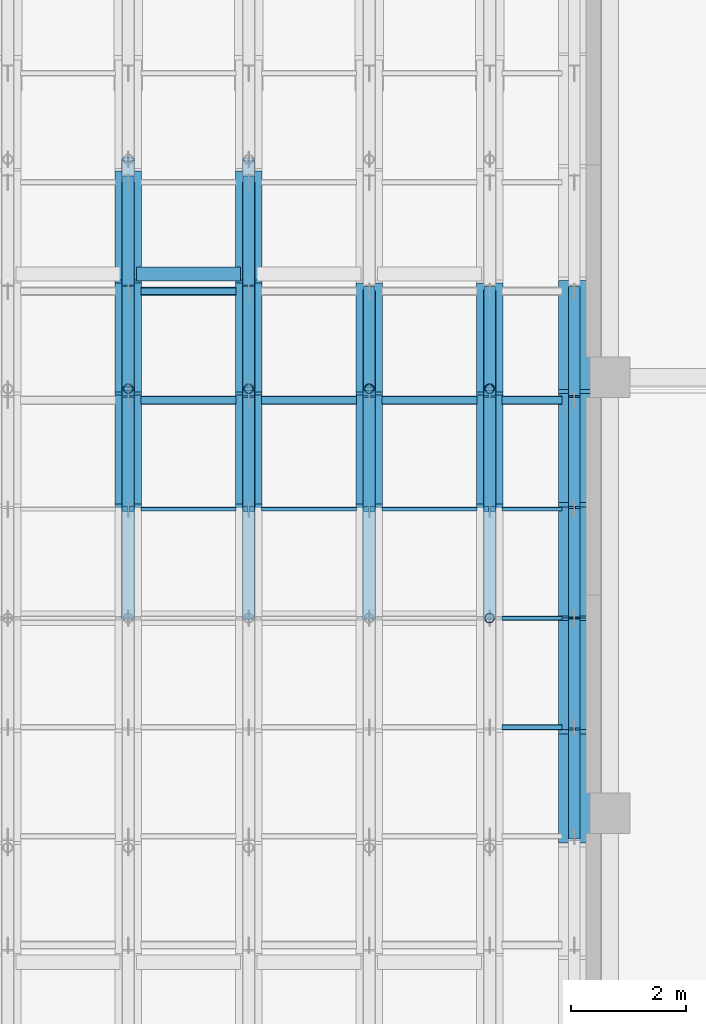
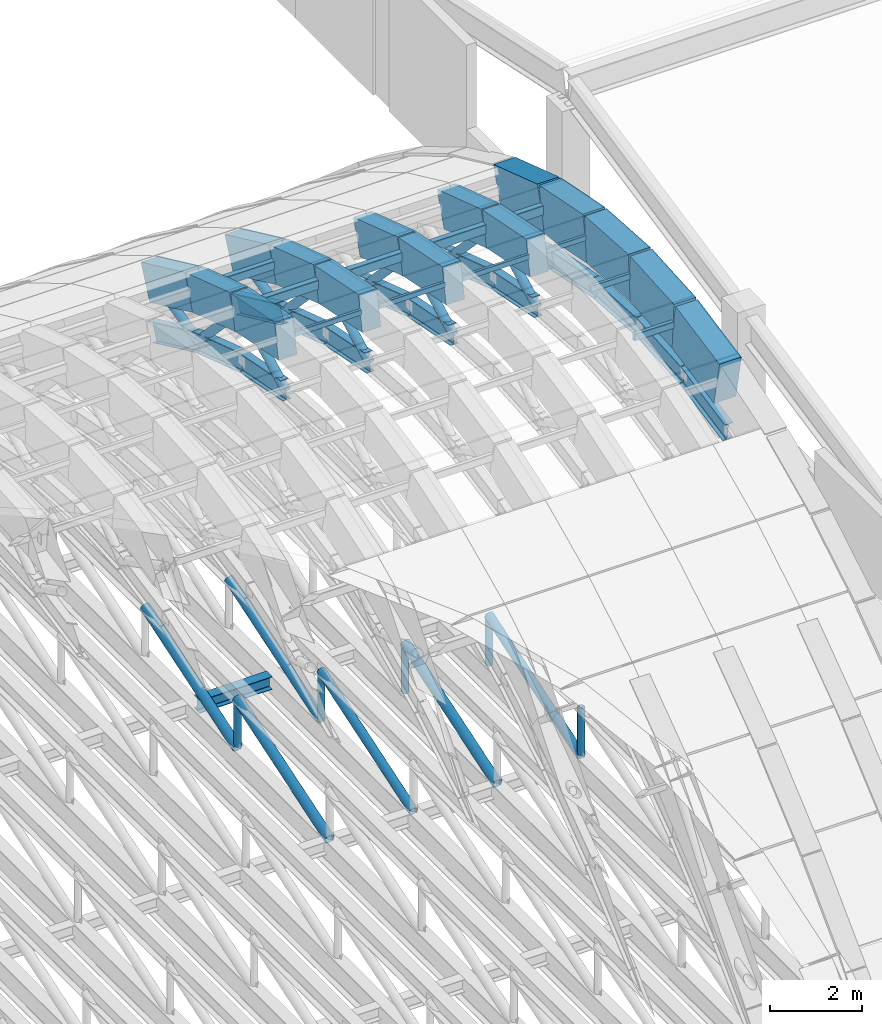
# One storey, part 42 of 67: 32 members, 31 beams.
"""IFC4 building model written with IfcOpenShell, lengths in metres."""

from ifc_helpers import new_model, si_unit, direction, frame, origin, origin_2d, place, context, subcontext, project, spatial, rectangle, hollow_rectangle, hollow_circle, i_section, extrude, material, material_profile, profile_set, type_object, element, save


model = new_model("IFC4")

# Units and contexts
model_context = context("Model", 3, precision=1e-05, world=origin(), true_north=direction((0.0, 1.0)))
body_context = subcontext(model_context, "Body", "Model", "MODEL_VIEW")
ifc_project = project(units=[si_unit("LENGTHUNIT", "METRE"), si_unit("AREAUNIT", "SQUARE_METRE"), si_unit("VOLUMEUNIT", "CUBIC_METRE"), si_unit("PLANEANGLEUNIT", "RADIAN"), si_unit("MASSUNIT", "GRAM", prefix="KILO")], contexts=[model_context])

# Site, building, storey
site_placement = place(None, origin())
site = spatial("IfcSite", under=ifc_project, at=site_placement, CompositionType="ELEMENT")
building_placement = place(site_placement, origin())
building = spatial("IfcBuilding", under=site, at=building_placement, Name="Shengluoqiao Park Theatre", CompositionType="ELEMENT")
storey_placement = place(building_placement, frame((0.0, 0.0, 28.60009765625)))
storey = spatial("IfcBuildingStorey", under=building, at=storey_placement, Name="Roof", CompositionType="ELEMENT", Elevation=28.60009765625)

# Beams
ifc_material_1 = material(Name="Concrete C50", Category="concrete")
ifc_material_profile_1 = material_profile(ifc_material_1, rectangle(XDim=0.4599609375, YDim=0.919921875, at=origin_2d()), Name="RC ARCH 460x920")
ifc_profile_set_1 = profile_set([ifc_material_profile_1], Name="Concrete C50")
beam_type_1 = type_object("IfcBeamType", Name="STR-BM-AR-4609", PredefinedType="BEAM", material=ifc_profile_set_1)
beam_1_placement = place(storey_placement, frame((78.0, 96.89990234375, 2.453857421875), z_axis=(0.0, 0.980788534345, -0.195073962632), x_axis=(-1.0, 0.0, 0.0)))
element("IfcBeam", 1, at=beam_1_placement, inside=storey, type_object=beam_type_1, Name="Barrel-Shell Arch Rib R17-S12", PredefinedType="BEAM", context=body_context, shape_type="SweptSolid", body=[
    extrude(rectangle(XDim=0.4599609375, YDim=0.919921875, at=origin_2d()), origin(), (0.0, 0.0, 1.0), 1.937255859375),
])
beam_2_placement = place(storey_placement, frame((78.0, 98.800048828125, 2.075927734375), z_axis=(0.0, 0.949157901431, -0.314800378257), x_axis=(-1.0, 0.0, 0.0)))
element("IfcBeam", 2, at=beam_2_placement, inside=storey, type_object=beam_type_1, Name="Barrel-Shell Arch Rib R17-S13", PredefinedType="BEAM", context=body_context, shape_type="SweptSolid", body=[
    extrude(rectangle(XDim=0.4599609375, YDim=0.919921875, at=origin_2d()), origin(), (0.0, 0.0, 1.0), 2.001708984375),
])
beam_3_placement = place(storey_placement, frame((78.0, 100.699951171875, 1.44580078125), z_axis=(0.0, 0.907077318021, -0.420964059192), x_axis=(-1.0, 0.0, 0.0)))
element("IfcBeam", 3, at=beam_3_placement, inside=storey, type_object=beam_type_1, Name="Barrel-Shell Arch Rib R17-S14", PredefinedType="BEAM", context=body_context, shape_type="SweptSolid", body=[
    extrude(rectangle(XDim=0.4599609375, YDim=0.919921875, at=origin_2d()), origin(), (0.0, 0.0, 1.0), 2.0947265625),
])
beam_4_placement = place(storey_placement, frame((80.10009765625, 96.89990234375, 2.453857421875), z_axis=(0.0, 0.980788534345, -0.195073962632), x_axis=(-1.0, 0.0, 0.0)))
element("IfcBeam", 4, at=beam_4_placement, inside=storey, type_object=beam_type_1, Name="Barrel-Shell Arch Rib R18-S12", PredefinedType="BEAM", context=body_context, shape_type="SweptSolid", body=[
    extrude(rectangle(XDim=0.4599609375, YDim=0.919921875, at=origin_2d()), origin(), (0.0, 0.0, 1.0), 1.937255859375),
])
beam_5_placement = place(storey_placement, frame((80.10009765625, 98.800048828125, 2.075927734375), z_axis=(0.0, 0.949157901431, -0.314800378257), x_axis=(-1.0, 0.0, 0.0)))
element("IfcBeam", 5, at=beam_5_placement, inside=storey, type_object=beam_type_1, Name="Barrel-Shell Arch Rib R18-S13", PredefinedType="BEAM", context=body_context, shape_type="SweptSolid", body=[
    extrude(rectangle(XDim=0.4599609375, YDim=0.919921875, at=origin_2d()), origin(), (0.0, 0.0, 1.0), 2.001708984375),
])
beam_6_placement = place(storey_placement, frame((80.10009765625, 100.699951171875, 1.44580078125), z_axis=(0.0, 0.907077318021, -0.420964059192), x_axis=(-1.0, 0.0, 0.0)))
element("IfcBeam", 6, at=beam_6_placement, inside=storey, type_object=beam_type_1, Name="Barrel-Shell Arch Rib R18-S14", PredefinedType="BEAM", context=body_context, shape_type="SweptSolid", body=[
    extrude(rectangle(XDim=0.4599609375, YDim=0.919921875, at=origin_2d()), origin(), (0.0, 0.0, 1.0), 2.0947265625),
])
beam_7_placement = place(storey_placement, frame((82.199951171875, 96.89990234375, 2.453857421875), z_axis=(0.0, 0.980788534345, -0.195073962632), x_axis=(-1.0, 0.0, 0.0)))
element("IfcBeam", 7, at=beam_7_placement, inside=storey, type_object=beam_type_1, Name="Barrel-Shell Arch Rib R19-S12", PredefinedType="BEAM", context=body_context, shape_type="SweptSolid", body=[
    extrude(rectangle(XDim=0.4599609375, YDim=0.919921875, at=origin_2d()), origin(), (0.0, 0.0, 1.0), 1.937255859375),
])
beam_8_placement = place(storey_placement, frame((82.199951171875, 98.800048828125, 2.075927734375), z_axis=(0.0, 0.949157901431, -0.314800378257), x_axis=(-1.0, 0.0, 0.0)))
element("IfcBeam", 8, at=beam_8_placement, inside=storey, type_object=beam_type_1, Name="Barrel-Shell Arch Rib R19-S13", PredefinedType="BEAM", context=body_context, shape_type="SweptSolid", body=[
    extrude(rectangle(XDim=0.4599609375, YDim=0.919921875, at=origin_2d()), origin(), (0.0, 0.0, 1.0), 2.001708984375),
])
beam_9_placement = place(storey_placement, frame((84.300048828125, 96.89990234375, 2.453857421875), z_axis=(0.0, 0.980788534345, -0.195073962632), x_axis=(-1.0, 0.0, 0.0)))
element("IfcBeam", 9, at=beam_9_placement, inside=storey, type_object=beam_type_1, Name="Barrel-Shell Arch Rib R20-S12", PredefinedType="BEAM", context=body_context, shape_type="SweptSolid", body=[
    extrude(rectangle(XDim=0.4599609375, YDim=0.919921875, at=origin_2d()), origin(), (0.0, 0.0, 1.0), 1.937255859375),
])
beam_10_placement = place(storey_placement, frame((84.300048828125, 98.800048828125, 2.075927734375), z_axis=(0.0, 0.949157901431, -0.314800378257), x_axis=(-1.0, 0.0, 0.0)))
element("IfcBeam", 10, at=beam_10_placement, inside=storey, type_object=beam_type_1, Name="Barrel-Shell Arch Rib R20-S13", PredefinedType="BEAM", context=body_context, shape_type="SweptSolid", body=[
    extrude(rectangle(XDim=0.4599609375, YDim=0.919921875, at=origin_2d()), origin(), (0.0, 0.0, 1.0), 2.001708984375),
])
ifc_material_profile_2 = material_profile(ifc_material_1, rectangle(XDim=0.550048828125, YDim=1.199951171875, at=origin_2d()), Name="RC ARCH 550x1200")
ifc_profile_set_2 = profile_set([ifc_material_profile_2], Name="Concrete C50")
beam_type_2 = type_object("IfcBeamType", Name="STR-BM-AR-5512", PredefinedType="BEAM", material=ifc_profile_set_2)
beam_11_placement = place(storey_placement, frame((85.780029296875, 91.199951171875, 2.075927734375), z_axis=(0.0, 0.980788534345, 0.195073962632), x_axis=(-1.0, 0.0, 0.0)))
element("IfcBeam", 11, at=beam_11_placement, inside=storey, type_object=beam_type_2, Name="Barrel-Shell Arch Rib R21-S09", PredefinedType="BEAM", context=body_context, shape_type="SweptSolid", body=[
    extrude(rectangle(XDim=0.550048828125, YDim=1.199951171875, at=origin_2d()), origin(), (0.0, 0.0, 1.0), 1.937255859375),
])
for number, where, z_axis, x_axis, name in (
    (12, (85.780029296875, 93.10009765625, 2.453857421875), (0.0, 0.997808922354, 0.066161578506), (-1.0, 0.0, 0.0), "Barrel-Shell Arch Rib R21-S10"),
    (13, (85.780029296875, 95.0, 2.579833984375), (0.0, 0.997808922354, -0.066161578506), (-1.0, 0.0, 0.0), "Barrel-Shell Arch Rib R21-S11"),
):
    element("IfcBeam", number, at=place(storey_placement, frame(where, z_axis=z_axis, x_axis=x_axis)), inside=storey, type_object=beam_type_2, Name=name, PredefinedType="BEAM", context=body_context, shape_type="SweptSolid", body=[
        extrude(rectangle(XDim=0.550048828125, YDim=1.199951171875, at=origin_2d()), origin(), (0.0, 0.0, 1.0), 1.904052734375),
    ])
beam_12_placement = place(storey_placement, frame((85.780029296875, 96.89990234375, 2.453857421875), z_axis=(0.0, 0.980788534345, -0.195073962632), x_axis=(-1.0, 0.0, 0.0)))
element("IfcBeam", 14, at=beam_12_placement, inside=storey, type_object=beam_type_2, Name="Barrel-Shell Arch Rib R21-S12", PredefinedType="BEAM", context=body_context, shape_type="SweptSolid", body=[
    extrude(rectangle(XDim=0.550048828125, YDim=1.199951171875, at=origin_2d()), origin(), (0.0, 0.0, 1.0), 1.937255859375),
])
beam_13_placement = place(storey_placement, frame((85.780029296875, 98.800048828125, 2.075927734375), z_axis=(0.0, 0.949157901431, -0.314800378257), x_axis=(-1.0, 0.0, 0.0)))
element("IfcBeam", 15, at=beam_13_placement, inside=storey, type_object=beam_type_2, Name="Barrel-Shell Arch Rib R21-S13", PredefinedType="BEAM", context=body_context, shape_type="SweptSolid", body=[
    extrude(rectangle(XDim=0.550048828125, YDim=1.199951171875, at=origin_2d()), origin(), (0.0, 0.0, 1.0), 2.001708984375),
])
ifc_material_2 = material(Name="Steel Q355", Category="steel")
ifc_material_profile_3 = material_profile(ifc_material_2, i_section(OverallWidth=0.25, OverallDepth=0.340087890625, WebThickness=0.009033203125, FlangeThickness=0.013916015625, FilletRadius=0.01611328125, at=origin_2d()), Name="HM 340x250x9x14")
ifc_profile_set_3 = profile_set([ifc_material_profile_3], Name="Steel Q355")
beam_type_3 = type_object("IfcBeamType", Name="STR-BM-G-HM340", PredefinedType="BEAM", material=ifc_profile_set_3)
beam_14_placement = place(storey_placement, frame((78.14404296875, 101.0, -9.77001953125), z_axis=(1.0, 0.0, 0.0), x_axis=(0.0, 1.0, 0.0)))
element("IfcBeam", 16, at=beam_14_placement, inside=storey, type_object=beam_type_3, Name="Auditorium Overhead Catwalk Girder R17-4", PredefinedType="BEAM", context=body_context, shape_type="SweptSolid", body=[
    extrude(i_section(OverallWidth=0.25, OverallDepth=0.340087890625, WebThickness=0.009033203125, FlangeThickness=0.013916015625, FilletRadius=0.01611328125, at=origin_2d()), origin(), (0.0, 0.0, 1.0), 1.81201171875),
])
ifc_material_profile_4 = material_profile(ifc_material_2, i_section(OverallWidth=0.199951171875, OverallDepth=0.5, WebThickness=0.010009765625, FlangeThickness=0.01611328125, FilletRadius=0.01806640625, at=origin_2d()), Name="HN 500x200x10x16")
ifc_profile_set_4 = profile_set([ifc_material_profile_4], Name="Steel Q355")
beam_type_4 = type_object("IfcBeamType", Name="STR-BM-J-HN500", PredefinedType="JOIST", material=ifc_profile_set_4)
beam_15_placement = place(storey_placement, frame((78.0, 96.89990234375, 1.093994140625), z_axis=(0.0, 0.980764417124, -0.19519517951), x_axis=(-1.0, 0.0, 0.0)))
element("IfcBeam", 17, at=beam_15_placement, inside=storey, type_object=beam_type_4, Name="Barrel-Shell Lower Arch Chord R17-S12", PredefinedType="JOIST", context=body_context, shape_type="SweptSolid", body=[
    extrude(i_section(OverallWidth=0.199951171875, OverallDepth=0.5, WebThickness=0.010009765625, FlangeThickness=0.01611328125, FilletRadius=0.01806640625, at=origin_2d()), origin(), (0.0, 0.0, 1.0), 1.9375),
])
beam_16_placement = place(storey_placement, frame((78.0, 98.800048828125, 0.7158203125), z_axis=(0.0, 0.949194340043, -0.314690490531), x_axis=(-1.0, 0.0, 0.0)))
element("IfcBeam", 18, at=beam_16_placement, inside=storey, type_object=beam_type_4, Name="Barrel-Shell Lower Arch Chord R17-S13", PredefinedType="JOIST", context=body_context, shape_type="SweptSolid", body=[
    extrude(i_section(OverallWidth=0.199951171875, OverallDepth=0.5, WebThickness=0.010009765625, FlangeThickness=0.01611328125, FilletRadius=0.01806640625, at=origin_2d()), origin(), (0.0, 0.0, 1.0), 2.001708984375),
])
beam_17_placement = place(storey_placement, frame((78.0, 100.699951171875, 0.0859375), z_axis=(0.0, 0.907032812412, -0.421059944911), x_axis=(-1.0, 0.0, 0.0)))
element("IfcBeam", 19, at=beam_17_placement, inside=storey, type_object=beam_type_4, Name="Barrel-Shell Lower Arch Chord R17-S14", PredefinedType="JOIST", context=body_context, shape_type="SweptSolid", body=[
    extrude(i_section(OverallWidth=0.199951171875, OverallDepth=0.5, WebThickness=0.010009765625, FlangeThickness=0.01611328125, FilletRadius=0.01806640625, at=origin_2d()), origin(), (0.0, 0.0, 1.0), 2.094970703125),
])
beam_18_placement = place(storey_placement, frame((80.10009765625, 96.89990234375, 1.093994140625), z_axis=(0.0, 0.980764417124, -0.19519517951), x_axis=(-1.0, 0.0, 0.0)))
element("IfcBeam", 20, at=beam_18_placement, inside=storey, type_object=beam_type_4, Name="Barrel-Shell Lower Arch Chord R18-S12", PredefinedType="JOIST", context=body_context, shape_type="SweptSolid", body=[
    extrude(i_section(OverallWidth=0.199951171875, OverallDepth=0.5, WebThickness=0.010009765625, FlangeThickness=0.01611328125, FilletRadius=0.01806640625, at=origin_2d()), origin(), (0.0, 0.0, 1.0), 1.9375),
])
beam_19_placement = place(storey_placement, frame((80.10009765625, 98.800048828125, 0.7158203125), z_axis=(0.0, 0.949194340043, -0.314690490531), x_axis=(-1.0, 0.0, 0.0)))
element("IfcBeam", 21, at=beam_19_placement, inside=storey, type_object=beam_type_4, Name="Barrel-Shell Lower Arch Chord R18-S13", PredefinedType="JOIST", context=body_context, shape_type="SweptSolid", body=[
    extrude(i_section(OverallWidth=0.199951171875, OverallDepth=0.5, WebThickness=0.010009765625, FlangeThickness=0.01611328125, FilletRadius=0.01806640625, at=origin_2d()), origin(), (0.0, 0.0, 1.0), 2.001708984375),
])
beam_20_placement = place(storey_placement, frame((80.10009765625, 100.699951171875, 0.0859375), z_axis=(0.0, 0.907032812412, -0.421059944911), x_axis=(-1.0, 0.0, 0.0)))
element("IfcBeam", 22, at=beam_20_placement, inside=storey, type_object=beam_type_4, Name="Barrel-Shell Lower Arch Chord R18-S14", PredefinedType="JOIST", context=body_context, shape_type="SweptSolid", body=[
    extrude(i_section(OverallWidth=0.199951171875, OverallDepth=0.5, WebThickness=0.010009765625, FlangeThickness=0.01611328125, FilletRadius=0.01806640625, at=origin_2d()), origin(), (0.0, 0.0, 1.0), 2.094970703125),
])
beam_21_placement = place(storey_placement, frame((82.199951171875, 96.89990234375, 1.093994140625), z_axis=(0.0, 0.980764417124, -0.19519517951), x_axis=(-1.0, 0.0, 0.0)))
element("IfcBeam", 23, at=beam_21_placement, inside=storey, type_object=beam_type_4, Name="Barrel-Shell Lower Arch Chord R19-S12", PredefinedType="JOIST", context=body_context, shape_type="SweptSolid", body=[
    extrude(i_section(OverallWidth=0.199951171875, OverallDepth=0.5, WebThickness=0.010009765625, FlangeThickness=0.01611328125, FilletRadius=0.01806640625, at=origin_2d()), origin(), (0.0, 0.0, 1.0), 1.9375),
])
beam_22_placement = place(storey_placement, frame((82.199951171875, 98.800048828125, 0.7158203125), z_axis=(0.0, 0.949194340043, -0.314690490531), x_axis=(-1.0, 0.0, 0.0)))
element("IfcBeam", 24, at=beam_22_placement, inside=storey, type_object=beam_type_4, Name="Barrel-Shell Lower Arch Chord R19-S13", PredefinedType="JOIST", context=body_context, shape_type="SweptSolid", body=[
    extrude(i_section(OverallWidth=0.199951171875, OverallDepth=0.5, WebThickness=0.010009765625, FlangeThickness=0.01611328125, FilletRadius=0.01806640625, at=origin_2d()), origin(), (0.0, 0.0, 1.0), 2.001708984375),
])
beam_23_placement = place(storey_placement, frame((84.300048828125, 96.89990234375, 1.093994140625), z_axis=(0.0, 0.980764417124, -0.19519517951), x_axis=(-1.0, 0.0, 0.0)))
element("IfcBeam", 25, at=beam_23_placement, inside=storey, type_object=beam_type_4, Name="Barrel-Shell Lower Arch Chord R20-S12", PredefinedType="JOIST", context=body_context, shape_type="SweptSolid", body=[
    extrude(i_section(OverallWidth=0.199951171875, OverallDepth=0.5, WebThickness=0.010009765625, FlangeThickness=0.01611328125, FilletRadius=0.01806640625, at=origin_2d()), origin(), (0.0, 0.0, 1.0), 1.9375),
])
beam_24_placement = place(storey_placement, frame((84.300048828125, 98.800048828125, 0.7158203125), z_axis=(0.0, 0.949194340043, -0.314690490531), x_axis=(-1.0, 0.0, 0.0)))
element("IfcBeam", 26, at=beam_24_placement, inside=storey, type_object=beam_type_4, Name="Barrel-Shell Lower Arch Chord R20-S13", PredefinedType="JOIST", context=body_context, shape_type="SweptSolid", body=[
    extrude(i_section(OverallWidth=0.199951171875, OverallDepth=0.5, WebThickness=0.010009765625, FlangeThickness=0.01611328125, FilletRadius=0.01806640625, at=origin_2d()), origin(), (0.0, 0.0, 1.0), 2.001708984375),
])
beam_25_placement = place(storey_placement, frame((85.780029296875, 91.199951171875, 0.7158203125), z_axis=(0.0, 0.980764417124, 0.19519517951), x_axis=(-1.0, 0.0, 0.0)))
element("IfcBeam", 27, at=beam_25_placement, inside=storey, type_object=beam_type_4, Name="Barrel-Shell Lower Arch Chord R21-S09", PredefinedType="JOIST", context=body_context, shape_type="SweptSolid", body=[
    extrude(i_section(OverallWidth=0.199951171875, OverallDepth=0.5, WebThickness=0.010009765625, FlangeThickness=0.01611328125, FilletRadius=0.01806640625, at=origin_2d()), origin(), (0.0, 0.0, 1.0), 1.9375),
])
for number, where, z_axis, x_axis, name in (
    (28, (85.780029296875, 93.10009765625, 1.093994140625), (0.0, 0.997808922354, 0.066161578506), (-1.0, 0.0, 0.0), "Barrel-Shell Lower Arch Chord R21-S10"),
    (29, (85.780029296875, 95.0, 1.219970703125), (0.0, 0.997808922354, -0.066161578506), (-1.0, 0.0, 0.0), "Barrel-Shell Lower Arch Chord R21-S11"),
):
    element("IfcBeam", number, at=place(storey_placement, frame(where, z_axis=z_axis, x_axis=x_axis)), inside=storey, type_object=beam_type_4, Name=name, PredefinedType="JOIST", context=body_context, shape_type="SweptSolid", body=[
        extrude(i_section(OverallWidth=0.199951171875, OverallDepth=0.5, WebThickness=0.010009765625, FlangeThickness=0.01611328125, FilletRadius=0.01806640625, at=origin_2d()), origin(), (0.0, 0.0, 1.0), 1.904052734375),
    ])
beam_26_placement = place(storey_placement, frame((85.780029296875, 96.89990234375, 1.093994140625), z_axis=(0.0, 0.980764417124, -0.19519517951), x_axis=(-1.0, 0.0, 0.0)))
element("IfcBeam", 30, at=beam_26_placement, inside=storey, type_object=beam_type_4, Name="Barrel-Shell Lower Arch Chord R21-S12", PredefinedType="JOIST", context=body_context, shape_type="SweptSolid", body=[
    extrude(i_section(OverallWidth=0.199951171875, OverallDepth=0.5, WebThickness=0.010009765625, FlangeThickness=0.01611328125, FilletRadius=0.01806640625, at=origin_2d()), origin(), (0.0, 0.0, 1.0), 1.9375),
])
beam_27_placement = place(storey_placement, frame((85.780029296875, 98.800048828125, 0.7158203125), z_axis=(0.0, 0.949194340043, -0.314690490531), x_axis=(-1.0, 0.0, 0.0)))
element("IfcBeam", 31, at=beam_27_placement, inside=storey, type_object=beam_type_4, Name="Barrel-Shell Lower Arch Chord R21-S13", PredefinedType="JOIST", context=body_context, shape_type="SweptSolid", body=[
    extrude(i_section(OverallWidth=0.199951171875, OverallDepth=0.5, WebThickness=0.010009765625, FlangeThickness=0.01611328125, FilletRadius=0.01806640625, at=origin_2d()), origin(), (0.0, 0.0, 1.0), 2.001708984375),
])

# Members
ifc_material_profile_5 = material_profile(ifc_material_2, hollow_circle(Radius=0.109619140625, WallThickness=0.010009765625, at=origin_2d()), Name="CHS 219x10")
ifc_profile_set_5 = profile_set([ifc_material_profile_5], Name="Steel Q355")
member_type_1 = type_object("IfcMemberType", Name="STR-MEM-BRC-219", PredefinedType="BRACE", material=ifc_profile_set_5)
member_1_placement = place(storey_placement, frame((78.0, 96.89990234375, 1.093994140625), z_axis=(0.0, 0.888389440766, 0.459090624535), x_axis=(-1.0, 0.0, 0.0)))
element("IfcMember", 32, at=member_1_placement, inside=storey, type_object=member_type_1, Name="Barrel-Shell Arch Truss Web 0332", PredefinedType="BRACE", context=body_context, shape_type="SweptSolid", body=[
    extrude(hollow_circle(Radius=0.109619140625, WallThickness=0.010009765625, at=origin_2d()), origin(), (0.0, 0.0, 1.0), 2.138916015625),
])
member_2_placement = place(storey_placement, frame((78.0, 98.800048828125, 2.075927734375), z_axis=(0.0, 0.690545389436, -0.723289060562), x_axis=(-1.0, 0.0, 0.0)))
element("IfcMember", 33, at=member_2_placement, inside=storey, type_object=member_type_1, Name="Barrel-Shell Arch Truss Web 0333", PredefinedType="BRACE", context=body_context, shape_type="SweptSolid", body=[
    extrude(hollow_circle(Radius=0.109619140625, WallThickness=0.010009765625, at=origin_2d()), origin(), (0.0, 0.0, 1.0), 2.751220703125),
])
member_3_placement = place(storey_placement, frame((78.0, 100.699951171875, 0.0859375), z_axis=(0.0, 0.96978228772, 0.243971954176), x_axis=(-1.0, 0.0, 0.0)))
element("IfcMember", 34, at=member_3_placement, inside=storey, type_object=member_type_1, Name="Barrel-Shell Arch Truss Web 0334", PredefinedType="BRACE", context=body_context, shape_type="SweptSolid", body=[
    extrude(hollow_circle(Radius=0.109619140625, WallThickness=0.010009765625, at=origin_2d()), origin(), (0.0, 0.0, 1.0), 1.95947265625),
])
member_4_placement = place(storey_placement, frame((80.10009765625, 96.89990234375, 1.093994140625), z_axis=(0.0, 0.888389440766, 0.459090624535), x_axis=(-1.0, 0.0, 0.0)))
element("IfcMember", 35, at=member_4_placement, inside=storey, type_object=member_type_1, Name="Barrel-Shell Arch Truss Web 0352", PredefinedType="BRACE", context=body_context, shape_type="SweptSolid", body=[
    extrude(hollow_circle(Radius=0.109619140625, WallThickness=0.010009765625, at=origin_2d()), origin(), (0.0, 0.0, 1.0), 2.138916015625),
])
member_5_placement = place(storey_placement, frame((80.10009765625, 98.800048828125, 2.075927734375), z_axis=(0.0, 0.690545389436, -0.723289060562), x_axis=(-1.0, 0.0, 0.0)))
element("IfcMember", 36, at=member_5_placement, inside=storey, type_object=member_type_1, Name="Barrel-Shell Arch Truss Web 0353", PredefinedType="BRACE", context=body_context, shape_type="SweptSolid", body=[
    extrude(hollow_circle(Radius=0.109619140625, WallThickness=0.010009765625, at=origin_2d()), origin(), (0.0, 0.0, 1.0), 2.751220703125),
])
member_6_placement = place(storey_placement, frame((80.10009765625, 100.699951171875, 0.0859375), z_axis=(0.0, 0.96978228772, 0.243971954176), x_axis=(-1.0, 0.0, 0.0)))
element("IfcMember", 37, at=member_6_placement, inside=storey, type_object=member_type_1, Name="Barrel-Shell Arch Truss Web 0354", PredefinedType="BRACE", context=body_context, shape_type="SweptSolid", body=[
    extrude(hollow_circle(Radius=0.109619140625, WallThickness=0.010009765625, at=origin_2d()), origin(), (0.0, 0.0, 1.0), 1.95947265625),
])
member_7_placement = place(storey_placement, frame((82.199951171875, 96.89990234375, 1.093994140625), z_axis=(0.0, 0.888389440766, 0.459090624535), x_axis=(-1.0, 0.0, 0.0)))
element("IfcMember", 38, at=member_7_placement, inside=storey, type_object=member_type_1, Name="Barrel-Shell Arch Truss Web 0372", PredefinedType="BRACE", context=body_context, shape_type="SweptSolid", body=[
    extrude(hollow_circle(Radius=0.109619140625, WallThickness=0.010009765625, at=origin_2d()), origin(), (0.0, 0.0, 1.0), 2.138916015625),
])
member_8_placement = place(storey_placement, frame((82.199951171875, 98.800048828125, 2.075927734375), z_axis=(0.0, 0.690545389436, -0.723289060562), x_axis=(-1.0, 0.0, 0.0)))
element("IfcMember", 39, at=member_8_placement, inside=storey, type_object=member_type_1, Name="Barrel-Shell Arch Truss Web 0373", PredefinedType="BRACE", context=body_context, shape_type="SweptSolid", body=[
    extrude(hollow_circle(Radius=0.109619140625, WallThickness=0.010009765625, at=origin_2d()), origin(), (0.0, 0.0, 1.0), 2.751220703125),
])
member_9_placement = place(storey_placement, frame((84.300048828125, 96.89990234375, 1.093994140625), z_axis=(0.0, 0.888389440766, 0.459090624535), x_axis=(-1.0, 0.0, 0.0)))
element("IfcMember", 40, at=member_9_placement, inside=storey, type_object=member_type_1, Name="Barrel-Shell Arch Truss Web 0392", PredefinedType="BRACE", context=body_context, shape_type="SweptSolid", body=[
    extrude(hollow_circle(Radius=0.109619140625, WallThickness=0.010009765625, at=origin_2d()), origin(), (0.0, 0.0, 1.0), 2.138916015625),
])
member_10_placement = place(storey_placement, frame((84.300048828125, 98.800048828125, 2.075927734375), z_axis=(0.0, 0.690545389436, -0.723289060562), x_axis=(-1.0, 0.0, 0.0)))
element("IfcMember", 41, at=member_10_placement, inside=storey, type_object=member_type_1, Name="Barrel-Shell Arch Truss Web 0393", PredefinedType="BRACE", context=body_context, shape_type="SweptSolid", body=[
    extrude(hollow_circle(Radius=0.109619140625, WallThickness=0.010009765625, at=origin_2d()), origin(), (0.0, 0.0, 1.0), 2.751220703125),
])
for number, where, z_axis, x_axis, name in (
    (42, (80.10009765625, 95.0, -9.650146484375), (0.0, 0.951030656115, 0.309096572498), (-1.0, 0.0, 0.0), "Acoustic Tie Truss Diagonal 0150"),
    (43, (80.10009765625, 99.0, -9.650146484375), (0.0, 0.951030656115, 0.309096572498), (-1.0, 0.0, 0.0), "Acoustic Tie Truss Diagonal 0151"),
    (44, (84.300048828125, 95.0, -9.650146484375), (0.0, 0.951030656115, 0.309096572498), (-1.0, 0.0, 0.0), "Acoustic Tie Truss Diagonal 0184"),
):
    element("IfcMember", number, at=place(storey_placement, frame(where, z_axis=z_axis, x_axis=x_axis)), inside=storey, type_object=member_type_1, Name=name, PredefinedType="BRACE", context=body_context, shape_type="SweptSolid", body=[
        extrude(hollow_circle(Radius=0.109619140625, WallThickness=0.010009765625, at=origin_2d()), origin(), (0.0, 0.0, 1.0), 4.2060546875),
    ])
ifc_material_profile_6 = material_profile(ifc_material_2, hollow_circle(Radius=0.12255859375, WallThickness=0.010009765625, at=origin_2d()), Name="CHS 245x10")
ifc_profile_set_6 = profile_set([ifc_material_profile_6], Name="Steel Q355")
member_type_2 = type_object("IfcMemberType", Name="STR-MEM-BRC-245", PredefinedType="BRACE", material=ifc_profile_set_6)
for number, where, z_axis, x_axis, name in (
    (45, (78.0, 95.0, -9.650146484375), (0.0, 0.951030656115, 0.309096572498), (-1.0, 0.0, 0.0), "Acoustic Tie Truss Diagonal 0133"),
    (46, (78.0, 99.0, -9.650146484375), (0.0, 0.951030656115, 0.309096572498), (-1.0, 0.0, 0.0), "Acoustic Tie Truss Diagonal 0134"),
    (47, (82.199951171875, 95.0, -9.650146484375), (0.0, 0.951030656115, 0.309096572498), (-1.0, 0.0, 0.0), "Acoustic Tie Truss Diagonal 0167"),
):
    element("IfcMember", number, at=place(storey_placement, frame(where, z_axis=z_axis, x_axis=x_axis)), inside=storey, type_object=member_type_2, Name=name, PredefinedType="BRACE", context=body_context, shape_type="SweptSolid", body=[
        extrude(hollow_circle(Radius=0.12255859375, WallThickness=0.010009765625, at=origin_2d()), origin(), (0.0, 0.0, 1.0), 4.2060546875),
    ])
ifc_material_profile_7 = material_profile(ifc_material_2, hollow_rectangle(XDim=0.070068359375, YDim=0.139892578125, WallThickness=0.006103515625, InnerFilletRadius=0.006103515625, OuterFilletRadius=0.011962890625, at=origin_2d()), Name="RHS 140x70x6")
ifc_profile_set_7 = profile_set([ifc_material_profile_7], Name="Steel Q355")
member_type_3 = type_object("IfcMemberType", Name="STR-MEM-PU-R140", PredefinedType="PURLIN", material=ifc_profile_set_7)
for number, where, z_axis, x_axis, name in (
    (48, (78.219970703125, 96.89990234375, 2.50390625), (1.0, 0.0, 0.0), (0.0, 1.0, 0.0), "Shell Longitudinal Purlin 0315"),
    (49, (80.320068359375, 96.89990234375, 2.50390625), (1.0, 0.0, 0.0), (0.0, 1.0, 0.0), "Shell Longitudinal Purlin 0334"),
):
    element("IfcMember", number, at=place(storey_placement, frame(where, z_axis=z_axis, x_axis=x_axis)), inside=storey, type_object=member_type_3, Name=name, PredefinedType="PURLIN", context=body_context, shape_type="SweptSolid", body=[
        extrude(hollow_rectangle(XDim=0.070068359375, YDim=0.139892578125, WallThickness=0.006103515625, InnerFilletRadius=0.006103515625, OuterFilletRadius=0.011962890625, at=origin_2d()), origin(), (0.0, 0.0, 1.0), 1.659912109375),
    ])
member_11_placement = place(storey_placement, frame((82.419921875, 96.89990234375, 2.50390625), z_axis=(1.0, 0.0, 0.0), x_axis=(0.0, 1.0, 0.0)))
element("IfcMember", 50, at=member_11_placement, inside=storey, type_object=member_type_3, Name="Shell Longitudinal Purlin 0353", PredefinedType="PURLIN", context=body_context, shape_type="SweptSolid", body=[
    extrude(hollow_rectangle(XDim=0.070068359375, YDim=0.139892578125, WallThickness=0.006103515625, InnerFilletRadius=0.006103515625, OuterFilletRadius=0.011962890625, at=origin_2d()), origin(), (0.0, 0.0, 1.0), 1.66015625),
])
member_12_placement = place(storey_placement, frame((84.52001953125, 96.89990234375, 2.50390625), z_axis=(1.0, 0.0, 0.0), x_axis=(0.0, 1.0, 0.0)))
element("IfcMember", 51, at=member_12_placement, inside=storey, type_object=member_type_3, Name="Shell Longitudinal Purlin 0372", PredefinedType="PURLIN", context=body_context, shape_type="SweptSolid", body=[
    extrude(hollow_rectangle(XDim=0.070068359375, YDim=0.139892578125, WallThickness=0.006103515625, InnerFilletRadius=0.006103515625, OuterFilletRadius=0.011962890625, at=origin_2d()), origin(), (0.0, 0.0, 1.0), 1.0400390625),
])
ifc_material_profile_8 = material_profile(ifc_material_2, hollow_rectangle(XDim=0.080078125, YDim=0.159912109375, WallThickness=0.006103515625, InnerFilletRadius=0.006103515625, OuterFilletRadius=0.011962890625, at=origin_2d()), Name="RHS 160x80x6")
ifc_profile_set_8 = profile_set([ifc_material_profile_8], Name="Steel Q355")
member_type_4 = type_object("IfcMemberType", Name="STR-MEM-PU-R160", PredefinedType="PURLIN", material=ifc_profile_set_8)
member_13_placement = place(storey_placement, frame((84.52001953125, 95.0, 2.639892578125), z_axis=(1.0, 0.0, 0.0), x_axis=(0.0, 1.0, 0.0)))
element("IfcMember", 52, at=member_13_placement, inside=storey, type_object=member_type_4, Name="Shell Longitudinal Purlin 0371", PredefinedType="PURLIN", context=body_context, shape_type="SweptSolid", body=[
    extrude(hollow_rectangle(XDim=0.080078125, YDim=0.159912109375, WallThickness=0.006103515625, InnerFilletRadius=0.006103515625, OuterFilletRadius=0.011962890625, at=origin_2d()), origin(), (0.0, 0.0, 1.0), 1.0400390625),
])
ifc_material_profile_9 = material_profile(ifc_material_2, hollow_rectangle(XDim=0.10009765625, YDim=0.179931640625, WallThickness=0.008056640625, InnerFilletRadius=0.008056640625, OuterFilletRadius=0.01611328125, at=origin_2d()), Name="RHS 180x100x8")
ifc_profile_set_9 = profile_set([ifc_material_profile_9], Name="Steel Q355")
member_type_5 = type_object("IfcMemberType", Name="STR-MEM-PU-R180", PredefinedType="PURLIN", material=ifc_profile_set_9)
member_14_placement = place(storey_placement, frame((84.52001953125, 93.10009765625, 2.513916015625), z_axis=(1.0, 0.0, 0.0), x_axis=(0.0, 1.0, 0.0)))
element("IfcMember", 53, at=member_14_placement, inside=storey, type_object=member_type_5, Name="Shell Longitudinal Purlin 0370", PredefinedType="PURLIN", context=body_context, shape_type="SweptSolid", body=[
    extrude(hollow_rectangle(XDim=0.10009765625, YDim=0.179931640625, WallThickness=0.008056640625, InnerFilletRadius=0.008056640625, OuterFilletRadius=0.01611328125, at=origin_2d()), origin(), (0.0, 0.0, 1.0), 1.0400390625),
])
ifc_material_profile_10 = material_profile(ifc_material_2, hollow_rectangle(XDim=0.139892578125, YDim=0.219970703125, WallThickness=0.010009765625, InnerFilletRadius=0.010009765625, OuterFilletRadius=0.02001953125, at=origin_2d()), Name="RHS 220x140x10")
ifc_profile_set_10 = profile_set([ifc_material_profile_10], Name="Steel Q355")
member_type_6 = type_object("IfcMemberType", Name="STR-MEM-PU-R220", PredefinedType="PURLIN", material=ifc_profile_set_10)
member_15_placement = place(storey_placement, frame((78.219970703125, 100.699951171875, 1.4658203125), z_axis=(1.0, 0.0, 0.0), x_axis=(0.0, 1.0, 0.0)))
element("IfcMember", 54, at=member_15_placement, inside=storey, type_object=member_type_6, Name="Shell Longitudinal Purlin 0317", PredefinedType="PURLIN", context=body_context, shape_type="SweptSolid", body=[
    extrude(hollow_rectangle(XDim=0.139892578125, YDim=0.219970703125, WallThickness=0.010009765625, InnerFilletRadius=0.010009765625, OuterFilletRadius=0.02001953125, at=origin_2d()), origin(), (0.0, 0.0, 1.0), 1.659912109375),
])
ifc_material_profile_11 = material_profile(ifc_material_2, hollow_rectangle(XDim=0.14990234375, YDim=0.25, WallThickness=0.010009765625, InnerFilletRadius=0.010009765625, OuterFilletRadius=0.02001953125, at=origin_2d()), Name="RHS 250x150x10")
ifc_profile_set_11 = profile_set([ifc_material_profile_11], Name="Steel Q355")
member_type_7 = type_object("IfcMemberType", Name="STR-MEM-PU-R250", PredefinedType="PURLIN", material=ifc_profile_set_11)
for number, where, z_axis, x_axis, name in (
    (55, (78.219970703125, 98.800048828125, 2.10595703125), (1.0, 0.0, 0.0), (0.0, 1.0, 0.0), "Shell Longitudinal Purlin 0316"),
    (56, (80.320068359375, 98.800048828125, 2.10595703125), (1.0, 0.0, 0.0), (0.0, 1.0, 0.0), "Shell Longitudinal Purlin 0335"),
):
    element("IfcMember", number, at=place(storey_placement, frame(where, z_axis=z_axis, x_axis=x_axis)), inside=storey, type_object=member_type_7, Name=name, PredefinedType="PURLIN", context=body_context, shape_type="SweptSolid", body=[
        extrude(hollow_rectangle(XDim=0.14990234375, YDim=0.25, WallThickness=0.010009765625, InnerFilletRadius=0.010009765625, OuterFilletRadius=0.02001953125, at=origin_2d()), origin(), (0.0, 0.0, 1.0), 1.659912109375),
    ])
member_16_placement = place(storey_placement, frame((82.419921875, 98.800048828125, 2.10595703125), z_axis=(1.0, 0.0, 0.0), x_axis=(0.0, 1.0, 0.0)))
element("IfcMember", 57, at=member_16_placement, inside=storey, type_object=member_type_7, Name="Shell Longitudinal Purlin 0354", PredefinedType="PURLIN", context=body_context, shape_type="SweptSolid", body=[
    extrude(hollow_rectangle(XDim=0.14990234375, YDim=0.25, WallThickness=0.010009765625, InnerFilletRadius=0.010009765625, OuterFilletRadius=0.02001953125, at=origin_2d()), origin(), (0.0, 0.0, 1.0), 1.66015625),
])
member_17_placement = place(storey_placement, frame((84.52001953125, 98.800048828125, 2.10595703125), z_axis=(1.0, 0.0, 0.0), x_axis=(0.0, 1.0, 0.0)))
element("IfcMember", 58, at=member_17_placement, inside=storey, type_object=member_type_7, Name="Shell Longitudinal Purlin 0373", PredefinedType="PURLIN", context=body_context, shape_type="SweptSolid", body=[
    extrude(hollow_rectangle(XDim=0.14990234375, YDim=0.25, WallThickness=0.010009765625, InnerFilletRadius=0.010009765625, OuterFilletRadius=0.02001953125, at=origin_2d()), origin(), (0.0, 0.0, 1.0), 1.0400390625),
])
ifc_material_profile_12 = material_profile(ifc_material_2, hollow_circle(Radius=0.083984375, WallThickness=0.008056640625, at=origin_2d()), Name="CHS 168x8")
ifc_profile_set_12 = profile_set([ifc_material_profile_12], Name="Steel Q355")
member_type_8 = type_object("IfcMemberType", Name="STR-MEM-STC-168", PredefinedType="STRUT", material=ifc_profile_set_12)
for number, where, z_axis, x_axis, name in (
    (59, (78.0, 99.0, -9.650146484375), (0.0, 0.0, 1.0), (1.0, 0.0, 0.0), "Acoustic Tie Truss Strut 0125"),
    (60, (80.10009765625, 99.0, -9.650146484375), (0.0, 0.0, 1.0), (1.0, 0.0, 0.0), "Acoustic Tie Truss Strut 0142"),
    (61, (82.199951171875, 99.0, -9.650146484375), (0.0, 0.0, 1.0), (1.0, 0.0, 0.0), "Acoustic Tie Truss Strut 0159"),
    (62, (84.300048828125, 95.0, -9.650146484375), (0.0, 0.0, 1.0), (1.0, 0.0, 0.0), "Acoustic Tie Truss Strut 0175"),
    (63, (84.300048828125, 99.0, -9.650146484375), (0.0, 0.0, 1.0), (1.0, 0.0, 0.0), "Acoustic Tie Truss Strut 0176"),
):
    element("IfcMember", number, at=place(storey_placement, frame(where, z_axis=z_axis, x_axis=x_axis)), inside=storey, type_object=member_type_8, Name=name, PredefinedType="STRUT", context=body_context, shape_type="SweptSolid", body=[
        extrude(hollow_circle(Radius=0.083984375, WallThickness=0.008056640625, at=origin_2d()), origin(), (0.0, 0.0, 1.0), 1.300048828125),
    ])

save(model, "model.ifc")
